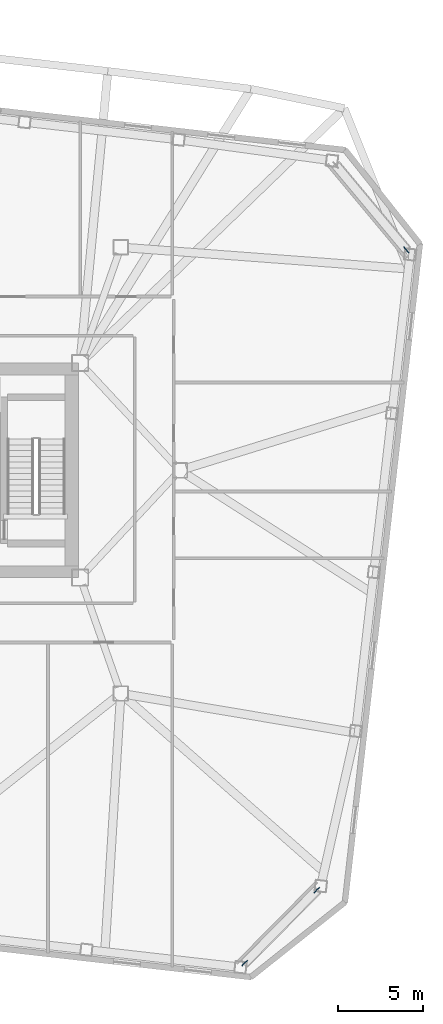
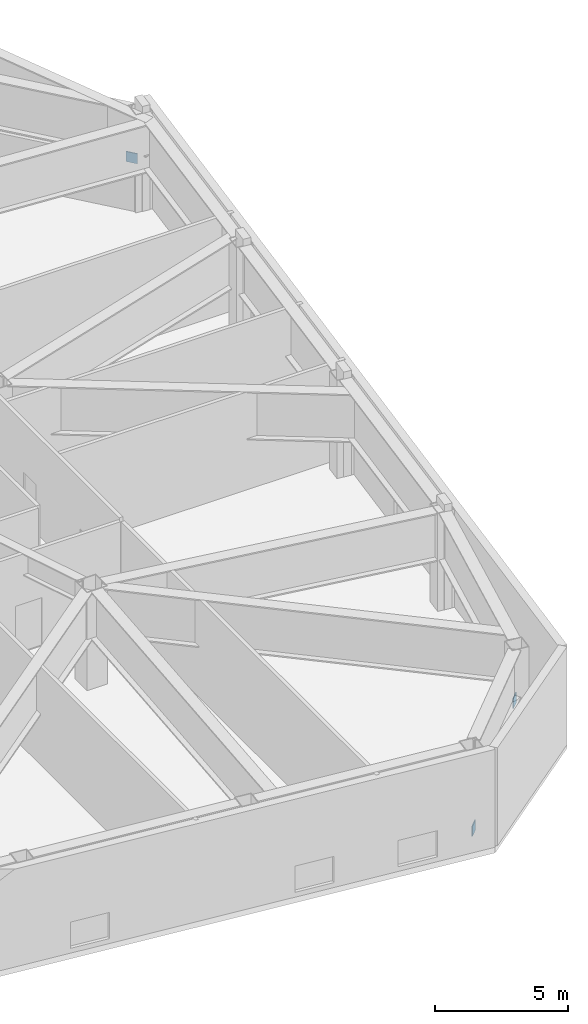
# One storey, part 17 of 19: 3 discrete accessories.
"""IFC4 building model written with IfcOpenShell, lengths in metres."""

from ifc_helpers import new_model, si_unit, direction, frame, origin, origin_2d, place, context, subcontext, project, spatial, rectangle, extrude, material, type_object, element, save


model = new_model("IFC4")

# Units and contexts
model_context = context("Model", 3, precision=1e-05, world=origin(), true_north=direction((0.0, 1.0)))
body_context = subcontext(model_context, "Body", "Model", "MODEL_VIEW")
ifc_project = project(units=[si_unit("LENGTHUNIT", "METRE"), si_unit("AREAUNIT", "SQUARE_METRE"), si_unit("VOLUMEUNIT", "CUBIC_METRE"), si_unit("PLANEANGLEUNIT", "RADIAN"), si_unit("MASSUNIT", "GRAM", prefix="KILO")], contexts=[model_context])

# Site, building, storey
site_placement = place(None, origin())
site = spatial("IfcSite", under=ifc_project, at=site_placement, CompositionType="ELEMENT")
building_placement = place(site_placement, origin())
building = spatial("IfcBuilding", under=site, at=building_placement, Name="Tavrogorsk Clinical Tower", CompositionType="ELEMENT")
storey_placement = place(building_placement, frame((0.0, 0.0, 141.39990234375)))
storey = spatial("IfcBuildingStorey", under=building, at=storey_placement, Name="L32", CompositionType="ELEMENT", Elevation=141.39990234375)

# Discrete accessories
ifc_material = material(Name="Structural steel S440", Category="steel")
discrete_accessory_type = type_object("IfcDiscreteAccessoryType", Name="GussetPlateBracket_25", PredefinedType="BRACKET", material=ifc_material)
for number, where, z_axis, x_axis, name in (
    (1, (31.8251953125, -29.15625, 0.16845703125), (0.0, 0.0, 1.0), (0.702898299792, 0.711290362756, 0.0), "L32 Brace Gusset Plate EXOCRN-L32-1-A"),
    (2, (36.09375, -24.836669921875, 1.90185546875), (0.0, 0.0, 1.0), (0.702898299792, 0.711290362756, 0.0), "L32 Brace Gusset Plate EXOCRN-L32-1-B"),
    (3, (41.400390625, 13.039306640625, 1.90771484375), (0.0, 0.0, 1.0), (0.640243780506, -0.768171791674, 0.0), "L32 Brace Gusset Plate EXOCRN-L32-2-B"),
):
    element("IfcDiscreteAccessory", number, at=place(storey_placement, frame(where, z_axis=z_axis, x_axis=x_axis)), inside=storey, type_object=discrete_accessory_type, Name=name, PredefinedType="BRACKET", context=body_context, shape_type="SweptSolid", body=[
        extrude(rectangle(XDim=0.4599609375, YDim=0.0400390625, at=origin_2d()), origin(), (0.0, 0.0, 1.0), 0.4599609375),
    ])

save(model, "model.ifc")
